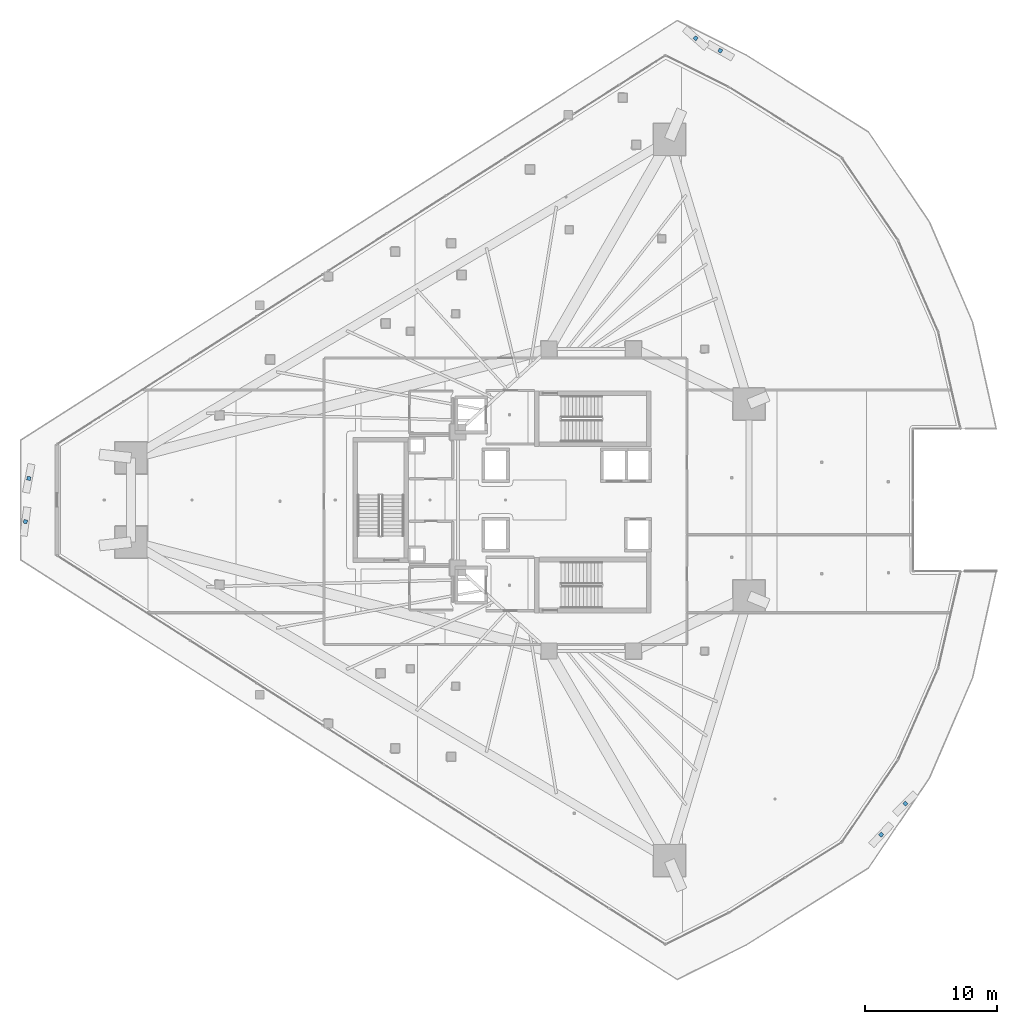
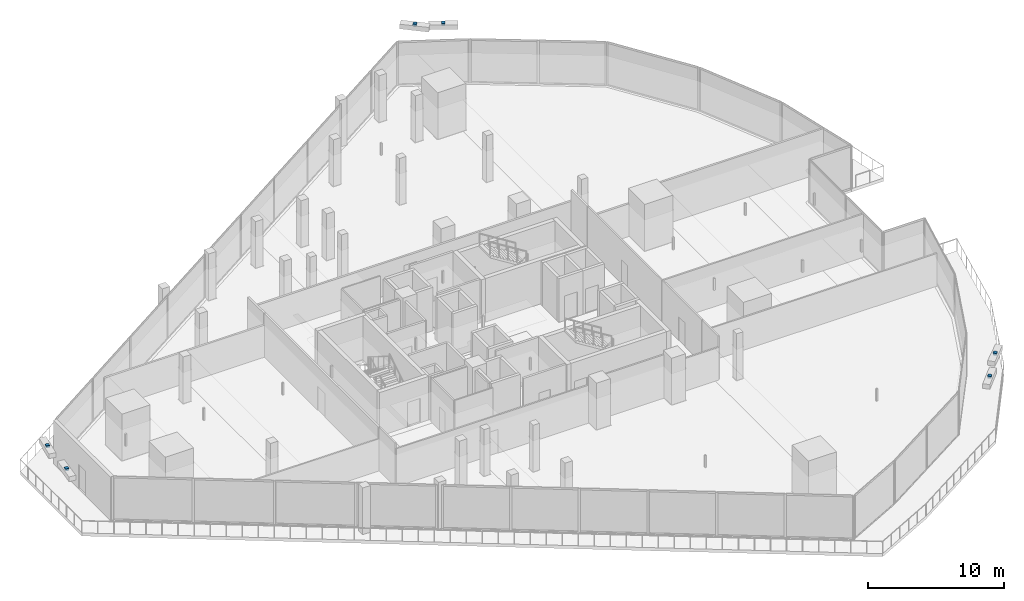
# One storey, part 34 of 42: 6 discrete accessories.
"""IFC4 building model written with IfcOpenShell, lengths in metres."""

from ifc_helpers import new_model, si_unit, direction, frame, origin, origin_2d, place, context, subcontext, project, spatial, rectangle, extrude, material, type_object, element, save


model = new_model("IFC4")

# Units and contexts
model_context = context("Model", 3, precision=1e-05, world=origin(), true_north=direction((0.0, 1.0)))
body_context = subcontext(model_context, "Body", "Model", "MODEL_VIEW")
ifc_project = project(units=[si_unit("LENGTHUNIT", "METRE"), si_unit("AREAUNIT", "SQUARE_METRE"), si_unit("VOLUMEUNIT", "CUBIC_METRE"), si_unit("PLANEANGLEUNIT", "RADIAN"), si_unit("MASSUNIT", "GRAM", prefix="KILO")], contexts=[model_context])

# Site, building, storey
site_placement = place(None, origin())
site = spatial("IfcSite", under=ifc_project, at=site_placement, CompositionType="ELEMENT")
building_placement = place(site_placement, origin())
building = spatial("IfcBuilding", under=site, at=building_placement, Name="Qorvath Tower", CompositionType="ELEMENT")
storey_placement = place(building_placement, frame((0.0, 0.0, 32.39990234375)))
storey = spatial("IfcBuildingStorey", under=building, at=storey_placement, Name="L06", CompositionType="ELEMENT", Elevation=32.39990234375)

# Discrete accessories
ifc_material = material(Name="Galvanised steel bracket", Category="steel")
discrete_accessory_type = type_object("IfcDiscreteAccessoryType", Name="DA-BRACKET", PredefinedType="BRACKET", material=ifc_material)
for number, where, z_axis, x_axis, name in (
    (1, (-63.036376953125, 1.636474609375, 3.7802734375), (0.0, 0.0, 1.0), (-0.185695770012, -0.982607287272, 0.0), "Louvre Wave Support Bracket L06-01"),
    (2, (-63.286865234375, -1.636474609375, 3.7802734375), (0.0, 0.0, 1.0), (-0.127686078095, -0.991814632611, 0.0), "Louvre Wave Support Bracket L06-02"),
    (3, (1.5888671875, -25.371337890625, 3.7802734375), (0.0, 0.0, 1.0), (0.683922160126, 0.729554986885, 0.0), "Louvre Wave Support Bracket L06-03"),
    (4, (3.417236328125, -23.01416015625, 3.7802734375), (0.0, 0.0, 1.0), (0.708693326617, 0.705516667988, 0.0), "Louvre Wave Support Bracket L06-04"),
    (5, (-10.614990234375, 34.060302734375, 3.7802734375), (0.0, 0.0, 1.0), (-0.869330221779, 0.494231692126, 0.0), "Louvre Wave Support Bracket L06-05"),
    (6, (-12.479736328125, 35.006591796875, 3.7802734375), (0.0, 0.0, 1.0), (-0.751401195805, 0.659845620538, 0.0), "Louvre Wave Support Bracket L06-06"),
):
    element("IfcDiscreteAccessory", number, at=place(storey_placement, frame(where, z_axis=z_axis, x_axis=x_axis)), inside=storey, type_object=discrete_accessory_type, Name=name, PredefinedType="NOTDEFINED", context=body_context, shape_type="SweptSolid", body=[
        extrude(rectangle(XDim=0.280029296875, YDim=0.280029296875, at=origin_2d()), origin(), (0.0, 0.0, 1.0), 0.199951171875),
    ])

save(model, "model.ifc")
